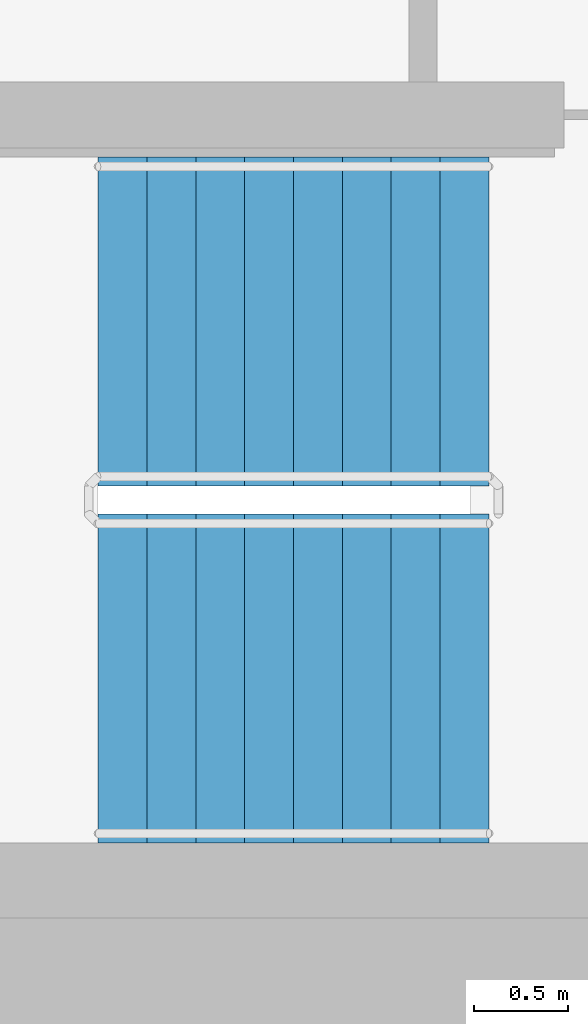
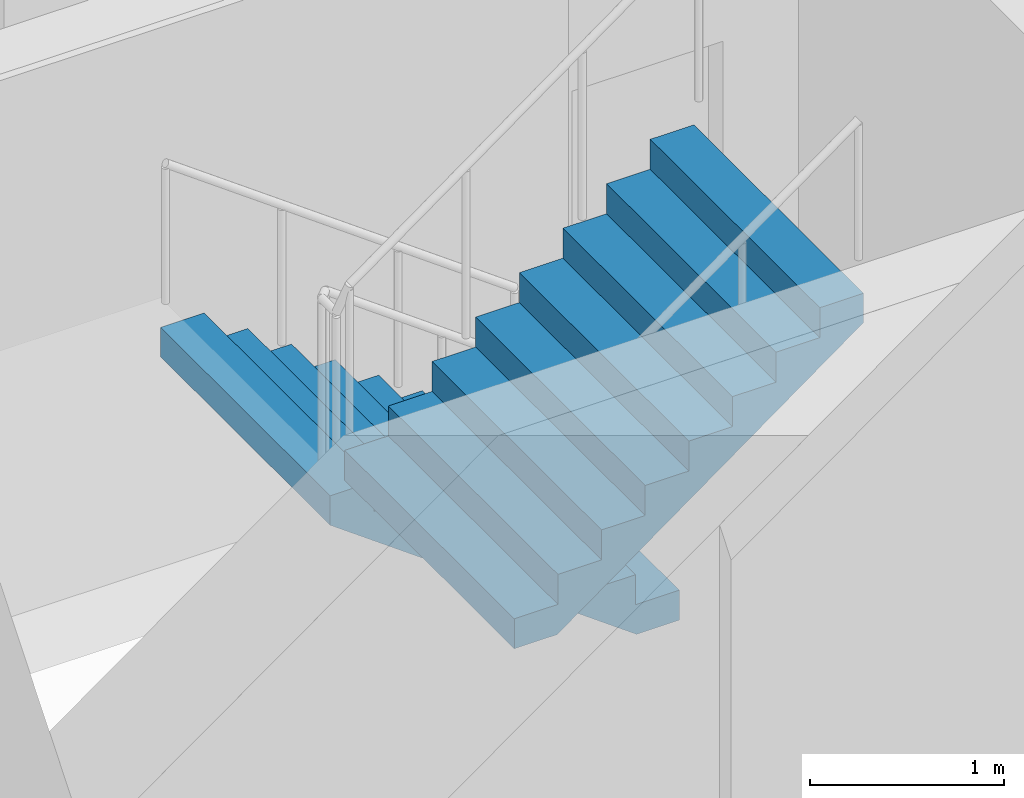
# One storey, part 12 of 18: 2 stair flights, 1 element without a shape of its own.
"""IFC4 building model written with IfcOpenShell, lengths in metres."""

from ifc_helpers import new_model, si_unit, direction, frame, origin, place, context, subcontext, project, spatial, faceted_brep, material, type_object, element, aggregate, save


model = new_model("IFC4")

# Units and contexts
model_context = context("Model", 3, precision=1e-05, world=origin(), true_north=direction((0.0, 1.0)))
body_context = subcontext(model_context, "Body", "Model", "MODEL_VIEW")
ifc_project = project(units=[si_unit("LENGTHUNIT", "METRE"), si_unit("AREAUNIT", "SQUARE_METRE"), si_unit("VOLUMEUNIT", "CUBIC_METRE"), si_unit("PLANEANGLEUNIT", "RADIAN"), si_unit("MASSUNIT", "GRAM", prefix="KILO")], contexts=[model_context])

# Site, building, storey
site_placement = place(None, origin())
site = spatial("IfcSite", under=ifc_project, at=site_placement, CompositionType="ELEMENT")
building_placement = place(site_placement, origin())
building = spatial("IfcBuilding", under=site, at=building_placement, Name="Ipe Terrace Towers", CompositionType="ELEMENT")
storey_placement = place(building_placement, frame((0.0, 0.0, 164.300048828125)))
storey = spatial("IfcBuildingStorey", under=building, at=storey_placement, Name="L45", CompositionType="ELEMENT", Elevation=164.300048828125)

# Stair, stair flights
ifc_material_1 = material(Name="Concrete C30/37", Category="concrete")
stair_type = type_object("IfcStairType", Name="Protected exit stair", PredefinedType="HALF_TURN_STAIR", material=ifc_material_1)
stair_placement = place(storey_placement, origin())
stair = element("IfcStair", 1, at=stair_placement, inside=storey, type_object=stair_type, Name="L45 Exit stair T1-C2", PredefinedType="HALF_TURN_STAIR")
ifc_material_2 = material(Name="Concrete C30/37", Category="concrete")
stair_flight_type = type_object("IfcStairFlightType", Name="Exit stair flight 1750", PredefinedType="STRAIGHT", material=ifc_material_2)
stair_flight_1_placement = place(storey_placement, frame((-45.699951171875, -2.77490234375, 0.0), z_axis=(0.0, 0.0, 1.0), x_axis=(-1.0, 0.0, 0.0)))
stair_flight_1 = element("IfcStairFlight", 2, at=stair_flight_1_placement, type_object=stair_flight_type, Name="T1-ST2 flight 1", NumberOfRisers=9, NumberOfTreads=8, PredefinedType="STRAIGHT", RiserHeight=0.188888889, TreadLength=0.26, context=body_context, shape_type="Brep", body=[
    faceted_brep([(0.255126953125, -0.875, 0.0), (2.080078125, -0.875, 1.325927734375), (2.080078125, -0.875, 1.51123046875), (1.820068359375, -0.875, 1.51123046875), (1.820068359375, -0.875, 1.322265625), (1.56005859375, -0.875, 1.322265625), (1.56005859375, -0.875, 1.13330078125), (1.300048828125, -0.875, 1.13330078125), (1.300048828125, -0.875, 0.9443359375), (1.0400390625, -0.875, 0.9443359375), (1.0400390625, -0.875, 0.755615234375), (0.780029296875, -0.875, 0.755615234375), (0.780029296875, -0.875, 0.566650390625), (0.52001953125, -0.875, 0.566650390625), (0.52001953125, -0.875, 0.377685546875), (0.260009765625, -0.875, 0.377685546875), (0.260009765625, -0.875, 0.18896484375), (0.0, -0.875, 0.18896484375), (0.0, -0.875, 0.0), (0.0, 0.875, 0.0), (0.0, 0.875, 0.18896484375), (0.260009765625, 0.875, 0.18896484375), (0.260009765625, 0.875, 0.377685546875), (0.52001953125, 0.875, 0.377685546875), (0.52001953125, 0.875, 0.566650390625), (0.780029296875, 0.875, 0.566650390625), (0.780029296875, 0.875, 0.755615234375), (1.0400390625, 0.875, 0.755615234375), (1.0400390625, 0.875, 0.9443359375), (1.300048828125, 0.875, 0.9443359375), (1.300048828125, 0.875, 1.13330078125), (1.56005859375, 0.875, 1.13330078125), (1.56005859375, 0.875, 1.322265625), (1.820068359375, 0.875, 1.322265625), (1.820068359375, 0.875, 1.51123046875), (2.080078125, 0.875, 1.51123046875), (2.080078125, 0.875, 1.325927734375), (0.255126953125, 0.875, 0.0), (0.0, -0.300048828125, 0.18896484375), (0.0, -0.1201171875, 0.18896484375), (0.0, -0.06005859375, 0.18896484375), (0.0, -0.030029296875, 0.18896484375), (0.0, -0.010009765625, 0.18896484375), (0.0, 0.0, 0.18896484375), (0.0, 0.010009765625, 0.18896484375), (0.0, 0.030029296875, 0.18896484375), (0.0, 0.06005859375, 0.18896484375), (0.0, 0.1201171875, 0.18896484375), (0.0, 0.300048828125, 0.18896484375), (0.0, 0.300048828125, 0.0), (0.0, 0.1201171875, 0.0), (0.0, 0.06005859375, 0.0), (0.0, 0.030029296875, 0.0), (0.0, 0.010009765625, 0.0), (0.0, 0.0, 0.0), (0.0, -0.010009765625, 0.0), (0.0, -0.030029296875, 0.0), (0.0, -0.06005859375, 0.0), (0.0, -0.1201171875, 0.0), (0.0, -0.300048828125, 0.0), (0.260009765625, -0.300048828125, 0.18896484375), (0.260009765625, -0.1201171875, 0.18896484375), (0.260009765625, -0.06005859375, 0.18896484375), (0.260009765625, -0.030029296875, 0.18896484375), (0.260009765625, -0.010009765625, 0.18896484375), (0.260009765625, 0.0, 0.18896484375), (0.260009765625, 0.010009765625, 0.18896484375), (0.260009765625, 0.030029296875, 0.18896484375), (0.260009765625, 0.06005859375, 0.18896484375), (0.260009765625, 0.1201171875, 0.18896484375), (0.260009765625, 0.300048828125, 0.18896484375), (0.260009765625, -0.300048828125, 0.377685546875), (0.260009765625, -0.1201171875, 0.377685546875), (0.260009765625, -0.06005859375, 0.377685546875), (0.260009765625, -0.030029296875, 0.377685546875), (0.260009765625, -0.010009765625, 0.377685546875), (0.260009765625, 0.0, 0.377685546875), (0.260009765625, 0.010009765625, 0.377685546875), (0.260009765625, 0.030029296875, 0.377685546875), (0.260009765625, 0.06005859375, 0.377685546875), (0.260009765625, 0.1201171875, 0.377685546875), (0.260009765625, 0.300048828125, 0.377685546875), (0.52001953125, -0.300048828125, 0.377685546875), (0.52001953125, -0.1201171875, 0.377685546875), (0.52001953125, -0.06005859375, 0.377685546875), (0.52001953125, -0.030029296875, 0.377685546875), (0.52001953125, -0.010009765625, 0.377685546875), (0.52001953125, 0.0, 0.377685546875), (0.52001953125, 0.010009765625, 0.377685546875), (0.52001953125, 0.030029296875, 0.377685546875), (0.52001953125, 0.06005859375, 0.377685546875), (0.52001953125, 0.1201171875, 0.377685546875), (0.52001953125, 0.300048828125, 0.377685546875), (0.52001953125, -0.300048828125, 0.566650390625), (0.52001953125, -0.1201171875, 0.566650390625), (0.52001953125, -0.06005859375, 0.566650390625), (0.52001953125, -0.030029296875, 0.566650390625), (0.52001953125, -0.010009765625, 0.566650390625), (0.52001953125, 0.0, 0.566650390625), (0.52001953125, 0.010009765625, 0.566650390625), (0.52001953125, 0.030029296875, 0.566650390625), (0.52001953125, 0.06005859375, 0.566650390625), (0.52001953125, 0.1201171875, 0.566650390625), (0.52001953125, 0.300048828125, 0.566650390625), (0.780029296875, -0.300048828125, 0.566650390625), (0.780029296875, -0.1201171875, 0.566650390625), (0.780029296875, -0.06005859375, 0.566650390625), (0.780029296875, -0.030029296875, 0.566650390625), (0.780029296875, -0.010009765625, 0.566650390625), (0.780029296875, 0.0, 0.566650390625), (0.780029296875, 0.010009765625, 0.566650390625), (0.780029296875, 0.030029296875, 0.566650390625), (0.780029296875, 0.06005859375, 0.566650390625), (0.780029296875, 0.1201171875, 0.566650390625), (0.780029296875, 0.300048828125, 0.566650390625), (0.780029296875, -0.300048828125, 0.755615234375), (0.780029296875, -0.1201171875, 0.755615234375), (0.780029296875, -0.06005859375, 0.755615234375), (0.780029296875, -0.030029296875, 0.755615234375), (0.780029296875, -0.010009765625, 0.755615234375), (0.780029296875, 0.0, 0.755615234375), (0.780029296875, 0.010009765625, 0.755615234375), (0.780029296875, 0.030029296875, 0.755615234375), (0.780029296875, 0.06005859375, 0.755615234375), (0.780029296875, 0.1201171875, 0.755615234375), (0.780029296875, 0.300048828125, 0.755615234375), (1.0400390625, -0.300048828125, 0.755615234375), (1.0400390625, -0.1201171875, 0.755615234375), (1.0400390625, -0.06005859375, 0.755615234375), (1.0400390625, -0.030029296875, 0.755615234375), (1.0400390625, -0.010009765625, 0.755615234375), (1.0400390625, 0.0, 0.755615234375), (1.0400390625, 0.010009765625, 0.755615234375), (1.0400390625, 0.030029296875, 0.755615234375), (1.0400390625, 0.06005859375, 0.755615234375), (1.0400390625, 0.1201171875, 0.755615234375), (1.0400390625, 0.300048828125, 0.755615234375), (1.0400390625, -0.300048828125, 0.9443359375), (1.0400390625, -0.1201171875, 0.9443359375), (1.0400390625, -0.06005859375, 0.9443359375), (1.0400390625, -0.030029296875, 0.9443359375), (1.0400390625, -0.010009765625, 0.9443359375), (1.0400390625, 0.0, 0.9443359375), (1.0400390625, 0.010009765625, 0.9443359375), (1.0400390625, 0.030029296875, 0.9443359375), (1.0400390625, 0.06005859375, 0.9443359375), (1.0400390625, 0.1201171875, 0.9443359375), (1.0400390625, 0.300048828125, 0.9443359375), (1.300048828125, -0.300048828125, 0.9443359375), (1.300048828125, -0.1201171875, 0.9443359375), (1.300048828125, -0.06005859375, 0.9443359375), (1.300048828125, -0.030029296875, 0.9443359375), (1.300048828125, -0.010009765625, 0.9443359375), (1.300048828125, 0.0, 0.9443359375), (1.300048828125, 0.010009765625, 0.9443359375), (1.300048828125, 0.030029296875, 0.9443359375), (1.300048828125, 0.06005859375, 0.9443359375), (1.300048828125, 0.1201171875, 0.9443359375), (1.300048828125, 0.300048828125, 0.9443359375), (1.300048828125, -0.300048828125, 1.13330078125), (1.300048828125, -0.1201171875, 1.13330078125), (1.300048828125, -0.06005859375, 1.13330078125), (1.300048828125, -0.030029296875, 1.13330078125), (1.300048828125, -0.010009765625, 1.13330078125), (1.300048828125, 0.0, 1.13330078125), (1.300048828125, 0.010009765625, 1.13330078125), (1.300048828125, 0.030029296875, 1.13330078125), (1.300048828125, 0.06005859375, 1.13330078125), (1.300048828125, 0.1201171875, 1.13330078125), (1.300048828125, 0.300048828125, 1.13330078125), (1.56005859375, -0.300048828125, 1.13330078125), (1.56005859375, -0.1201171875, 1.13330078125), (1.56005859375, -0.06005859375, 1.13330078125), (1.56005859375, -0.030029296875, 1.13330078125), (1.56005859375, -0.010009765625, 1.13330078125), (1.56005859375, 0.0, 1.13330078125), (1.56005859375, 0.010009765625, 1.13330078125), (1.56005859375, 0.030029296875, 1.13330078125), (1.56005859375, 0.06005859375, 1.13330078125), (1.56005859375, 0.1201171875, 1.13330078125), (1.56005859375, 0.300048828125, 1.13330078125), (1.56005859375, -0.300048828125, 1.322265625), (1.56005859375, -0.1201171875, 1.322265625), (1.56005859375, -0.06005859375, 1.322265625), (1.56005859375, -0.030029296875, 1.322265625), (1.56005859375, -0.010009765625, 1.322265625), (1.56005859375, 0.0, 1.322265625), (1.56005859375, 0.010009765625, 1.322265625), (1.56005859375, 0.030029296875, 1.322265625), (1.56005859375, 0.06005859375, 1.322265625), (1.56005859375, 0.1201171875, 1.322265625), (1.56005859375, 0.300048828125, 1.322265625), (1.820068359375, -0.300048828125, 1.322265625), (1.820068359375, -0.1201171875, 1.322265625), (1.820068359375, -0.06005859375, 1.322265625), (1.820068359375, -0.030029296875, 1.322265625), (1.820068359375, -0.010009765625, 1.322265625), (1.820068359375, 0.0, 1.322265625), (1.820068359375, 0.010009765625, 1.322265625), (1.820068359375, 0.030029296875, 1.322265625), (1.820068359375, 0.06005859375, 1.322265625), (1.820068359375, 0.1201171875, 1.322265625), (1.820068359375, 0.300048828125, 1.322265625), (1.820068359375, -0.300048828125, 1.51123046875), (1.820068359375, -0.1201171875, 1.51123046875), (1.820068359375, -0.06005859375, 1.51123046875), (1.820068359375, -0.030029296875, 1.51123046875), (1.820068359375, -0.010009765625, 1.51123046875), (1.820068359375, 0.0, 1.51123046875), (1.820068359375, 0.010009765625, 1.51123046875), (1.820068359375, 0.030029296875, 1.51123046875), (1.820068359375, 0.06005859375, 1.51123046875), (1.820068359375, 0.1201171875, 1.51123046875), (1.820068359375, 0.300048828125, 1.51123046875), (2.080078125, -0.300048828125, 1.51123046875), (2.080078125, -0.1201171875, 1.51123046875), (2.080078125, -0.06005859375, 1.51123046875), (2.080078125, -0.030029296875, 1.51123046875), (2.080078125, -0.010009765625, 1.51123046875), (2.080078125, 0.0, 1.51123046875), (2.080078125, 0.010009765625, 1.51123046875), (2.080078125, 0.030029296875, 1.51123046875), (2.080078125, 0.06005859375, 1.51123046875), (2.080078125, 0.1201171875, 1.51123046875), (2.080078125, 0.300048828125, 1.51123046875), (2.080078125, -0.300048828125, 1.325927734375), (2.080078125, -0.1201171875, 1.325927734375), (2.080078125, -0.06005859375, 1.325927734375), (2.080078125, -0.030029296875, 1.325927734375), (2.080078125, -0.010009765625, 1.325927734375), (2.080078125, 0.0, 1.325927734375), (2.080078125, 0.010009765625, 1.325927734375), (2.080078125, 0.030029296875, 1.325927734375), (2.080078125, 0.06005859375, 1.325927734375), (2.080078125, 0.1201171875, 1.325927734375), (2.080078125, 0.300048828125, 1.325927734375), (0.255126953125, -0.300048828125, 0.0), (0.255126953125, -0.1201171875, 0.0), (0.255126953125, -0.06005859375, 0.0), (0.255126953125, -0.030029296875, 0.0), (0.255126953125, -0.010009765625, 0.0), (0.255126953125, 0.0, 0.0), (0.255126953125, 0.010009765625, 0.0), (0.255126953125, 0.030029296875, 0.0), (0.255126953125, 0.06005859375, 0.0), (0.255126953125, 0.1201171875, 0.0), (0.255126953125, 0.300048828125, 0.0)], [[[0, 1, 2, 3, 4, 5, 6, 7, 8, 9, 10, 11, 12, 13, 14, 15, 16, 17, 18]], [[19, 20, 21, 22, 23, 24, 25, 26, 27, 28, 29, 30, 31, 32, 33, 34, 35, 36, 37]], [[17, 38, 39, 40, 41, 42, 43, 44, 45, 46, 47, 48, 20, 19, 49, 50, 51, 52, 53, 54, 55, 56, 57, 58, 59, 18]], [[16, 60, 61, 62, 63, 64, 65, 66, 67, 68, 69, 70, 21, 20, 48, 47, 46, 45, 44, 43, 42, 41, 40, 39, 38, 17]], [[15, 71, 72, 73, 74, 75, 76, 77, 78, 79, 80, 81, 22, 21, 70, 69, 68, 67, 66, 65, 64, 63, 62, 61, 60, 16]], [[14, 82, 83, 84, 85, 86, 87, 88, 89, 90, 91, 92, 23, 22, 81, 80, 79, 78, 77, 76, 75, 74, 73, 72, 71, 15]], [[13, 93, 94, 95, 96, 97, 98, 99, 100, 101, 102, 103, 24, 23, 92, 91, 90, 89, 88, 87, 86, 85, 84, 83, 82, 14]], [[12, 104, 105, 106, 107, 108, 109, 110, 111, 112, 113, 114, 25, 24, 103, 102, 101, 100, 99, 98, 97, 96, 95, 94, 93, 13]], [[11, 115, 116, 117, 118, 119, 120, 121, 122, 123, 124, 125, 26, 25, 114, 113, 112, 111, 110, 109, 108, 107, 106, 105, 104, 12]], [[10, 126, 127, 128, 129, 130, 131, 132, 133, 134, 135, 136, 27, 26, 125, 124, 123, 122, 121, 120, 119, 118, 117, 116, 115, 11]], [[9, 137, 138, 139, 140, 141, 142, 143, 144, 145, 146, 147, 28, 27, 136, 135, 134, 133, 132, 131, 130, 129, 128, 127, 126, 10]], [[8, 148, 149, 150, 151, 152, 153, 154, 155, 156, 157, 158, 29, 28, 147, 146, 145, 144, 143, 142, 141, 140, 139, 138, 137, 9]], [[7, 159, 160, 161, 162, 163, 164, 165, 166, 167, 168, 169, 30, 29, 158, 157, 156, 155, 154, 153, 152, 151, 150, 149, 148, 8]], [[6, 170, 171, 172, 173, 174, 175, 176, 177, 178, 179, 180, 31, 30, 169, 168, 167, 166, 165, 164, 163, 162, 161, 160, 159, 7]], [[5, 181, 182, 183, 184, 185, 186, 187, 188, 189, 190, 191, 32, 31, 180, 179, 178, 177, 176, 175, 174, 173, 172, 171, 170, 6]], [[4, 192, 193, 194, 195, 196, 197, 198, 199, 200, 201, 202, 33, 32, 191, 190, 189, 188, 187, 186, 185, 184, 183, 182, 181, 5]], [[3, 203, 204, 205, 206, 207, 208, 209, 210, 211, 212, 213, 34, 33, 202, 201, 200, 199, 198, 197, 196, 195, 194, 193, 192, 4]], [[2, 214, 215, 216, 217, 218, 219, 220, 221, 222, 223, 224, 35, 34, 213, 212, 211, 210, 209, 208, 207, 206, 205, 204, 203, 3]], [[1, 225, 226, 227, 228, 229, 230, 231, 232, 233, 234, 235, 36, 35, 224, 223, 222, 221, 220, 219, 218, 217, 216, 215, 214, 2]], [[0, 236, 237, 238, 239, 240, 241, 242, 243, 244, 245, 246, 37, 36, 235, 234, 233, 232, 231, 230, 229, 228, 227, 226, 225, 1]], [[18, 59, 58, 57, 56, 55, 54, 53, 52, 51, 50, 49, 19, 37, 246, 245, 244, 243, 242, 241, 240, 239, 238, 237, 236, 0]]]),
])
stair_flight_2_placement = place(storey_placement, frame((-47.780029296875, -4.675048828125, 1.699951171875), z_axis=(0.0, 0.0, 1.0), x_axis=(1.0, 0.0, 0.0)))
stair_flight_2 = element("IfcStairFlight", 3, at=stair_flight_2_placement, type_object=stair_flight_type, Name="T1-ST2 flight 2", NumberOfRisers=9, NumberOfTreads=8, PredefinedType="STRAIGHT", RiserHeight=0.188888889, TreadLength=0.26, context=body_context, shape_type="Brep", body=[
    faceted_brep([(0.255126953125, -0.875, 0.0), (2.080078125, -0.875, 1.325927734375), (2.080078125, -0.875, 1.51123046875), (1.820068359375, -0.875, 1.51123046875), (1.820068359375, -0.875, 1.322265625), (1.56005859375, -0.875, 1.322265625), (1.56005859375, -0.875, 1.13330078125), (1.300048828125, -0.875, 1.13330078125), (1.300048828125, -0.875, 0.9443359375), (1.0400390625, -0.875, 0.9443359375), (1.0400390625, -0.875, 0.755615234375), (0.780029296875, -0.875, 0.755615234375), (0.780029296875, -0.875, 0.566650390625), (0.52001953125, -0.875, 0.566650390625), (0.52001953125, -0.875, 0.377685546875), (0.260009765625, -0.875, 0.377685546875), (0.260009765625, -0.875, 0.18896484375), (0.0, -0.875, 0.18896484375), (0.0, -0.875, 0.0), (0.0, 0.875, 0.0), (0.0, 0.875, 0.18896484375), (0.260009765625, 0.875, 0.18896484375), (0.260009765625, 0.875, 0.377685546875), (0.52001953125, 0.875, 0.377685546875), (0.52001953125, 0.875, 0.566650390625), (0.780029296875, 0.875, 0.566650390625), (0.780029296875, 0.875, 0.755615234375), (1.0400390625, 0.875, 0.755615234375), (1.0400390625, 0.875, 0.9443359375), (1.300048828125, 0.875, 0.9443359375), (1.300048828125, 0.875, 1.13330078125), (1.56005859375, 0.875, 1.13330078125), (1.56005859375, 0.875, 1.322265625), (1.820068359375, 0.875, 1.322265625), (1.820068359375, 0.875, 1.51123046875), (2.080078125, 0.875, 1.51123046875), (2.080078125, 0.875, 1.325927734375), (0.255126953125, 0.875, 0.0), (0.0, -0.300048828125, 0.18896484375), (0.0, -0.1201171875, 0.18896484375), (0.0, -0.06005859375, 0.18896484375), (0.0, -0.030029296875, 0.18896484375), (0.0, -0.010009765625, 0.18896484375), (0.0, 0.0, 0.18896484375), (0.0, 0.010009765625, 0.18896484375), (0.0, 0.030029296875, 0.18896484375), (0.0, 0.06005859375, 0.18896484375), (0.0, 0.1201171875, 0.18896484375), (0.0, 0.300048828125, 0.18896484375), (0.0, 0.300048828125, 0.0), (0.0, 0.1201171875, 0.0), (0.0, 0.06005859375, 0.0), (0.0, 0.030029296875, 0.0), (0.0, 0.010009765625, 0.0), (0.0, 0.0, 0.0), (0.0, -0.010009765625, 0.0), (0.0, -0.030029296875, 0.0), (0.0, -0.06005859375, 0.0), (0.0, -0.1201171875, 0.0), (0.0, -0.300048828125, 0.0), (0.260009765625, -0.300048828125, 0.18896484375), (0.260009765625, -0.1201171875, 0.18896484375), (0.260009765625, -0.06005859375, 0.18896484375), (0.260009765625, -0.030029296875, 0.18896484375), (0.260009765625, -0.010009765625, 0.18896484375), (0.260009765625, 0.0, 0.18896484375), (0.260009765625, 0.010009765625, 0.18896484375), (0.260009765625, 0.030029296875, 0.18896484375), (0.260009765625, 0.06005859375, 0.18896484375), (0.260009765625, 0.1201171875, 0.18896484375), (0.260009765625, 0.300048828125, 0.18896484375), (0.260009765625, -0.300048828125, 0.377685546875), (0.260009765625, -0.1201171875, 0.377685546875), (0.260009765625, -0.06005859375, 0.377685546875), (0.260009765625, -0.030029296875, 0.377685546875), (0.260009765625, -0.010009765625, 0.377685546875), (0.260009765625, 0.0, 0.377685546875), (0.260009765625, 0.010009765625, 0.377685546875), (0.260009765625, 0.030029296875, 0.377685546875), (0.260009765625, 0.06005859375, 0.377685546875), (0.260009765625, 0.1201171875, 0.377685546875), (0.260009765625, 0.300048828125, 0.377685546875), (0.52001953125, -0.300048828125, 0.377685546875), (0.52001953125, -0.1201171875, 0.377685546875), (0.52001953125, -0.06005859375, 0.377685546875), (0.52001953125, -0.030029296875, 0.377685546875), (0.52001953125, -0.010009765625, 0.377685546875), (0.52001953125, 0.0, 0.377685546875), (0.52001953125, 0.010009765625, 0.377685546875), (0.52001953125, 0.030029296875, 0.377685546875), (0.52001953125, 0.06005859375, 0.377685546875), (0.52001953125, 0.1201171875, 0.377685546875), (0.52001953125, 0.300048828125, 0.377685546875), (0.52001953125, -0.300048828125, 0.566650390625), (0.52001953125, -0.1201171875, 0.566650390625), (0.52001953125, -0.06005859375, 0.566650390625), (0.52001953125, -0.030029296875, 0.566650390625), (0.52001953125, -0.010009765625, 0.566650390625), (0.52001953125, 0.0, 0.566650390625), (0.52001953125, 0.010009765625, 0.566650390625), (0.52001953125, 0.030029296875, 0.566650390625), (0.52001953125, 0.06005859375, 0.566650390625), (0.52001953125, 0.1201171875, 0.566650390625), (0.52001953125, 0.300048828125, 0.566650390625), (0.780029296875, -0.300048828125, 0.566650390625), (0.780029296875, -0.1201171875, 0.566650390625), (0.780029296875, -0.06005859375, 0.566650390625), (0.780029296875, -0.030029296875, 0.566650390625), (0.780029296875, -0.010009765625, 0.566650390625), (0.780029296875, 0.0, 0.566650390625), (0.780029296875, 0.010009765625, 0.566650390625), (0.780029296875, 0.030029296875, 0.566650390625), (0.780029296875, 0.06005859375, 0.566650390625), (0.780029296875, 0.1201171875, 0.566650390625), (0.780029296875, 0.300048828125, 0.566650390625), (0.780029296875, -0.300048828125, 0.755615234375), (0.780029296875, -0.1201171875, 0.755615234375), (0.780029296875, -0.06005859375, 0.755615234375), (0.780029296875, -0.030029296875, 0.755615234375), (0.780029296875, -0.010009765625, 0.755615234375), (0.780029296875, 0.0, 0.755615234375), (0.780029296875, 0.010009765625, 0.755615234375), (0.780029296875, 0.030029296875, 0.755615234375), (0.780029296875, 0.06005859375, 0.755615234375), (0.780029296875, 0.1201171875, 0.755615234375), (0.780029296875, 0.300048828125, 0.755615234375), (1.0400390625, -0.300048828125, 0.755615234375), (1.0400390625, -0.1201171875, 0.755615234375), (1.0400390625, -0.06005859375, 0.755615234375), (1.0400390625, -0.030029296875, 0.755615234375), (1.0400390625, -0.010009765625, 0.755615234375), (1.0400390625, 0.0, 0.755615234375), (1.0400390625, 0.010009765625, 0.755615234375), (1.0400390625, 0.030029296875, 0.755615234375), (1.0400390625, 0.06005859375, 0.755615234375), (1.0400390625, 0.1201171875, 0.755615234375), (1.0400390625, 0.300048828125, 0.755615234375), (1.0400390625, -0.300048828125, 0.9443359375), (1.0400390625, -0.1201171875, 0.9443359375), (1.0400390625, -0.06005859375, 0.9443359375), (1.0400390625, -0.030029296875, 0.9443359375), (1.0400390625, -0.010009765625, 0.9443359375), (1.0400390625, 0.0, 0.9443359375), (1.0400390625, 0.010009765625, 0.9443359375), (1.0400390625, 0.030029296875, 0.9443359375), (1.0400390625, 0.06005859375, 0.9443359375), (1.0400390625, 0.1201171875, 0.9443359375), (1.0400390625, 0.300048828125, 0.9443359375), (1.300048828125, -0.300048828125, 0.9443359375), (1.300048828125, -0.1201171875, 0.9443359375), (1.300048828125, -0.06005859375, 0.9443359375), (1.300048828125, -0.030029296875, 0.9443359375), (1.300048828125, -0.010009765625, 0.9443359375), (1.300048828125, 0.0, 0.9443359375), (1.300048828125, 0.010009765625, 0.9443359375), (1.300048828125, 0.030029296875, 0.9443359375), (1.300048828125, 0.06005859375, 0.9443359375), (1.300048828125, 0.1201171875, 0.9443359375), (1.300048828125, 0.300048828125, 0.9443359375), (1.300048828125, -0.300048828125, 1.13330078125), (1.300048828125, -0.1201171875, 1.13330078125), (1.300048828125, -0.06005859375, 1.13330078125), (1.300048828125, -0.030029296875, 1.13330078125), (1.300048828125, -0.010009765625, 1.13330078125), (1.300048828125, 0.0, 1.13330078125), (1.300048828125, 0.010009765625, 1.13330078125), (1.300048828125, 0.030029296875, 1.13330078125), (1.300048828125, 0.06005859375, 1.13330078125), (1.300048828125, 0.1201171875, 1.13330078125), (1.300048828125, 0.300048828125, 1.13330078125), (1.56005859375, -0.300048828125, 1.13330078125), (1.56005859375, -0.1201171875, 1.13330078125), (1.56005859375, -0.06005859375, 1.13330078125), (1.56005859375, -0.030029296875, 1.13330078125), (1.56005859375, -0.010009765625, 1.13330078125), (1.56005859375, 0.0, 1.13330078125), (1.56005859375, 0.010009765625, 1.13330078125), (1.56005859375, 0.030029296875, 1.13330078125), (1.56005859375, 0.06005859375, 1.13330078125), (1.56005859375, 0.1201171875, 1.13330078125), (1.56005859375, 0.300048828125, 1.13330078125), (1.56005859375, -0.300048828125, 1.322265625), (1.56005859375, -0.1201171875, 1.322265625), (1.56005859375, -0.06005859375, 1.322265625), (1.56005859375, -0.030029296875, 1.322265625), (1.56005859375, -0.010009765625, 1.322265625), (1.56005859375, 0.0, 1.322265625), (1.56005859375, 0.010009765625, 1.322265625), (1.56005859375, 0.030029296875, 1.322265625), (1.56005859375, 0.06005859375, 1.322265625), (1.56005859375, 0.1201171875, 1.322265625), (1.56005859375, 0.300048828125, 1.322265625), (1.820068359375, -0.300048828125, 1.322265625), (1.820068359375, -0.1201171875, 1.322265625), (1.820068359375, -0.06005859375, 1.322265625), (1.820068359375, -0.030029296875, 1.322265625), (1.820068359375, -0.010009765625, 1.322265625), (1.820068359375, 0.0, 1.322265625), (1.820068359375, 0.010009765625, 1.322265625), (1.820068359375, 0.030029296875, 1.322265625), (1.820068359375, 0.06005859375, 1.322265625), (1.820068359375, 0.1201171875, 1.322265625), (1.820068359375, 0.300048828125, 1.322265625), (1.820068359375, -0.300048828125, 1.51123046875), (1.820068359375, -0.1201171875, 1.51123046875), (1.820068359375, -0.06005859375, 1.51123046875), (1.820068359375, -0.030029296875, 1.51123046875), (1.820068359375, -0.010009765625, 1.51123046875), (1.820068359375, 0.0, 1.51123046875), (1.820068359375, 0.010009765625, 1.51123046875), (1.820068359375, 0.030029296875, 1.51123046875), (1.820068359375, 0.06005859375, 1.51123046875), (1.820068359375, 0.1201171875, 1.51123046875), (1.820068359375, 0.300048828125, 1.51123046875), (2.080078125, -0.300048828125, 1.51123046875), (2.080078125, -0.1201171875, 1.51123046875), (2.080078125, -0.06005859375, 1.51123046875), (2.080078125, -0.030029296875, 1.51123046875), (2.080078125, -0.010009765625, 1.51123046875), (2.080078125, 0.0, 1.51123046875), (2.080078125, 0.010009765625, 1.51123046875), (2.080078125, 0.030029296875, 1.51123046875), (2.080078125, 0.06005859375, 1.51123046875), (2.080078125, 0.1201171875, 1.51123046875), (2.080078125, 0.300048828125, 1.51123046875), (2.080078125, -0.300048828125, 1.325927734375), (2.080078125, -0.1201171875, 1.325927734375), (2.080078125, -0.06005859375, 1.325927734375), (2.080078125, -0.030029296875, 1.325927734375), (2.080078125, -0.010009765625, 1.325927734375), (2.080078125, 0.0, 1.325927734375), (2.080078125, 0.010009765625, 1.325927734375), (2.080078125, 0.030029296875, 1.325927734375), (2.080078125, 0.06005859375, 1.325927734375), (2.080078125, 0.1201171875, 1.325927734375), (2.080078125, 0.300048828125, 1.325927734375), (0.255126953125, -0.300048828125, 0.0), (0.255126953125, -0.1201171875, 0.0), (0.255126953125, -0.06005859375, 0.0), (0.255126953125, -0.030029296875, 0.0), (0.255126953125, -0.010009765625, 0.0), (0.255126953125, 0.0, 0.0), (0.255126953125, 0.010009765625, 0.0), (0.255126953125, 0.030029296875, 0.0), (0.255126953125, 0.06005859375, 0.0), (0.255126953125, 0.1201171875, 0.0), (0.255126953125, 0.300048828125, 0.0)], [[[0, 1, 2, 3, 4, 5, 6, 7, 8, 9, 10, 11, 12, 13, 14, 15, 16, 17, 18]], [[19, 20, 21, 22, 23, 24, 25, 26, 27, 28, 29, 30, 31, 32, 33, 34, 35, 36, 37]], [[17, 38, 39, 40, 41, 42, 43, 44, 45, 46, 47, 48, 20, 19, 49, 50, 51, 52, 53, 54, 55, 56, 57, 58, 59, 18]], [[16, 60, 61, 62, 63, 64, 65, 66, 67, 68, 69, 70, 21, 20, 48, 47, 46, 45, 44, 43, 42, 41, 40, 39, 38, 17]], [[15, 71, 72, 73, 74, 75, 76, 77, 78, 79, 80, 81, 22, 21, 70, 69, 68, 67, 66, 65, 64, 63, 62, 61, 60, 16]], [[14, 82, 83, 84, 85, 86, 87, 88, 89, 90, 91, 92, 23, 22, 81, 80, 79, 78, 77, 76, 75, 74, 73, 72, 71, 15]], [[13, 93, 94, 95, 96, 97, 98, 99, 100, 101, 102, 103, 24, 23, 92, 91, 90, 89, 88, 87, 86, 85, 84, 83, 82, 14]], [[12, 104, 105, 106, 107, 108, 109, 110, 111, 112, 113, 114, 25, 24, 103, 102, 101, 100, 99, 98, 97, 96, 95, 94, 93, 13]], [[11, 115, 116, 117, 118, 119, 120, 121, 122, 123, 124, 125, 26, 25, 114, 113, 112, 111, 110, 109, 108, 107, 106, 105, 104, 12]], [[10, 126, 127, 128, 129, 130, 131, 132, 133, 134, 135, 136, 27, 26, 125, 124, 123, 122, 121, 120, 119, 118, 117, 116, 115, 11]], [[9, 137, 138, 139, 140, 141, 142, 143, 144, 145, 146, 147, 28, 27, 136, 135, 134, 133, 132, 131, 130, 129, 128, 127, 126, 10]], [[8, 148, 149, 150, 151, 152, 153, 154, 155, 156, 157, 158, 29, 28, 147, 146, 145, 144, 143, 142, 141, 140, 139, 138, 137, 9]], [[7, 159, 160, 161, 162, 163, 164, 165, 166, 167, 168, 169, 30, 29, 158, 157, 156, 155, 154, 153, 152, 151, 150, 149, 148, 8]], [[6, 170, 171, 172, 173, 174, 175, 176, 177, 178, 179, 180, 31, 30, 169, 168, 167, 166, 165, 164, 163, 162, 161, 160, 159, 7]], [[5, 181, 182, 183, 184, 185, 186, 187, 188, 189, 190, 191, 32, 31, 180, 179, 178, 177, 176, 175, 174, 173, 172, 171, 170, 6]], [[4, 192, 193, 194, 195, 196, 197, 198, 199, 200, 201, 202, 33, 32, 191, 190, 189, 188, 187, 186, 185, 184, 183, 182, 181, 5]], [[3, 203, 204, 205, 206, 207, 208, 209, 210, 211, 212, 213, 34, 33, 202, 201, 200, 199, 198, 197, 196, 195, 194, 193, 192, 4]], [[2, 214, 215, 216, 217, 218, 219, 220, 221, 222, 223, 224, 35, 34, 213, 212, 211, 210, 209, 208, 207, 206, 205, 204, 203, 3]], [[1, 225, 226, 227, 228, 229, 230, 231, 232, 233, 234, 235, 36, 35, 224, 223, 222, 221, 220, 219, 218, 217, 216, 215, 214, 2]], [[0, 236, 237, 238, 239, 240, 241, 242, 243, 244, 245, 246, 37, 36, 235, 234, 233, 232, 231, 230, 229, 228, 227, 226, 225, 1]], [[18, 59, 58, 57, 56, 55, 54, 53, 52, 51, 50, 49, 19, 37, 246, 245, 244, 243, 242, 241, 240, 239, 238, 237, 236, 0]]]),
])
aggregate(stair, [stair_flight_1, stair_flight_2])

save(model, "model.ifc")
